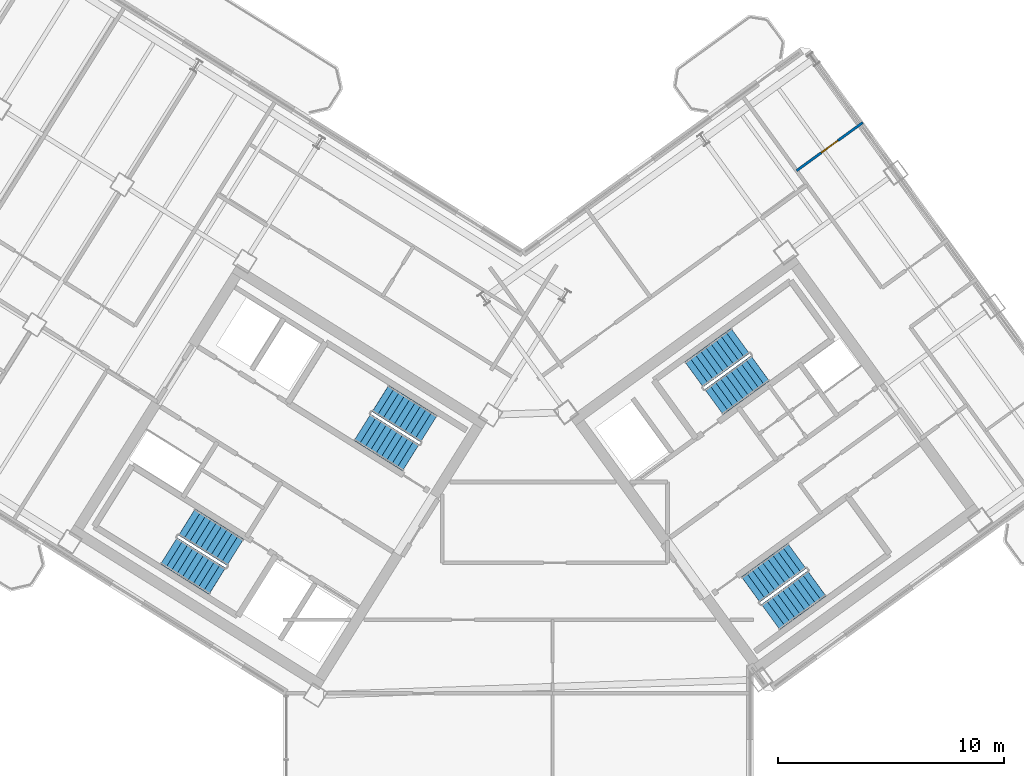
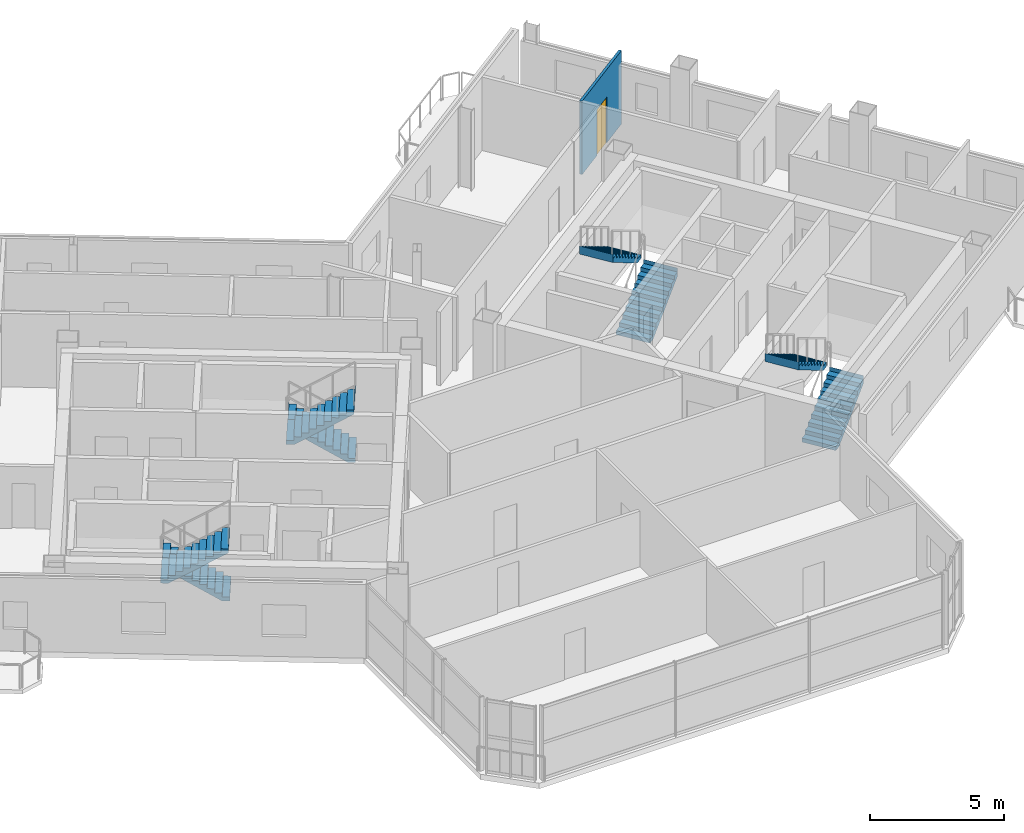
# One storey, part 16 of 21: 8 stair flights, 1 door, 1 wall, 1 opening, 4 elements without a shape of their own.
"""IFC4 building model written with IfcOpenShell, lengths in metres."""

from ifc_helpers import new_model, si_unit, direction, frame, frame_2d, origin, place, context, subcontext, project, spatial, polyline, rectangle, outline, extrude, source, transform, mapped, material, layer, layer_set, type_object, element, fill, aggregate, save


model = new_model("IFC4")

# Units and contexts
model_context = context("Model", 3, precision=1e-05, world=origin(), true_north=direction((0.0, 1.0)))
body_context = subcontext(model_context, "Body", "Model", "MODEL_VIEW")
ifc_project = project(units=[si_unit("LENGTHUNIT", "METRE"), si_unit("AREAUNIT", "SQUARE_METRE"), si_unit("VOLUMEUNIT", "CUBIC_METRE"), si_unit("PLANEANGLEUNIT", "RADIAN"), si_unit("MASSUNIT", "GRAM", prefix="KILO")], contexts=[model_context])

# Site, building, storey
site_placement = place(None, origin())
site = spatial("IfcSite", under=ifc_project, at=site_placement, CompositionType="ELEMENT")
building_placement = place(site_placement, origin())
building = spatial("IfcBuilding", under=site, at=building_placement, Name="Tlacorven Tower", CompositionType="ELEMENT")
storey_placement = place(building_placement, frame((0.0, 0.0, 207.60009765625)))
storey = spatial("IfcBuildingStorey", under=building, at=storey_placement, Name="L52", CompositionType="ELEMENT", Elevation=207.60009765625)

# Wall, opening, door
ifc_material_1 = material(Name="Gypsum plasterboard partition", Category="gypsum")
ifc_layer = layer(ifc_material_1, 0.110107421875)
ifc_layer_set = layer_set([ifc_layer], Name="Gypsum plasterboard partition")
wall_type = type_object("IfcWallType", Name="WL-INT-110", PredefinedType="PARTITIONING", material=ifc_layer_set)
wall_placement = place(storey_placement, frame((54.3037109375, 35.25927734375, 0.0), z_axis=(0.0, 0.0, 1.0), x_axis=(0.809005039917, 0.58780170584, 0.0)))
wall = element("IfcWall", 1, at=wall_placement, inside=storey, type_object=wall_type, Name="L52 partition 82", PredefinedType="PARTITIONING", context=body_context, shape_type="SweptSolid", body=[
    extrude(rectangle(XDim=3.610107421875, YDim=0.110107421875, at=frame_2d((1.80517578125, 0.0))), origin(), (0.0, 0.0, 1.0), 3.33984375),
])
opening_placement = place(wall_placement, frame((1.344970703125, 0.0, 0.0)))
opening = element("IfcOpeningElement", 2, at=opening_placement, cuts=wall, Name="Opening D12", PredefinedType="OPENING", context=body_context, shape_type="SweptSolid", body=[
    extrude(rectangle(XDim=0.919921875, YDim=2.080078125, at=frame_2d((0.4599609375, 1.0400390625))), frame((0.0, 0.06494140625, 0.0), z_axis=(0.0, -1.0, 0.0), x_axis=(1.0, 0.0, 0.0)), (0.0, 0.0, 1.0), 0.130126953125),
])
ifc_material_2 = material(Name="Powder-coated aluminium and timber door", Category="wood")
door_type = type_object("IfcDoorType", Name="DR-INT-ROOM-0920", OperationType="NOTDEFINED", PredefinedType="DOOR", material=ifc_material_2)
shared_shape_1 = source(origin(), body_context, "Body", "SweptSolid", [
    extrude(rectangle(XDim=0.919921875, YDim=2.080078125, at=frame_2d((0.4599609375, 1.0400390625))), frame((0.0, 0.02490234375, 0.0), z_axis=(0.0, -1.0, 0.0), x_axis=(1.0, 0.0, 0.0)), (0.0, 0.0, 1.0), 0.050048828125),
])
door_placement = place(opening_placement, origin())
door = element("IfcDoor", 3, at=door_placement, inside=storey, type_object=door_type, Name="L52 door 053", OperationType="SINGLE_SWING_RIGHT", OverallHeight=2.080078125, OverallWidth=0.919921875, PredefinedType="DOOR", context=body_context, shape_type="MappedRepresentation", body=[
    mapped(shared_shape_1, transform((0.0, 0.0, 0.0), scale=1.0)),
])
fill(opening, door)

# Stair, stair flights
ifc_material_3 = material(Name="Concrete C40/50", Category="concrete")
stair_type = type_object("IfcStairType", Name="ST-CORE-DLG", PredefinedType="HALF_TURN_STAIR", material=ifc_material_3)
stair_1_placement = place(storey_placement, origin())
stair_1 = element("IfcStair", 4, at=stair_1_placement, inside=storey, type_object=stair_type, Name="L52 Protected Exit Stair West 1", PredefinedType="HALF_TURN_STAIR")
stair_flight_type = type_object("IfcStairFlightType", Name="SFL-RC-1380", PredefinedType="STRAIGHT", material=ifc_material_3)
shared_shape_2 = source(origin(), body_context, "Body", "SweptSolid", [
    extrude(outline(polyline([(-0.0029296875, -0.0029296875), (-0.0029296875, 0.179931640625), (0.280029296875, 0.179931640625), (0.280029296875, 0.360107421875), (0.56005859375, 0.360107421875), (0.56005859375, 0.5400390625), (0.840087890625, 0.5400390625), (0.840087890625, 0.719970703125), (1.1201171875, 0.719970703125), (1.1201171875, 0.89990234375), (1.39990234375, 0.89990234375), (1.39990234375, 1.080078125), (1.679931640625, 1.080078125), (1.679931640625, 1.260009765625), (1.9599609375, 1.260009765625), (1.9599609375, 1.43994140625), (2.239990234375, 1.43994140625), (2.239990234375, 1.6201171875), (2.52001953125, 1.6201171875), (2.52001953125, 1.800048828125), (2.52294921875, 1.800048828125), (2.52294921875, 1.429931640625), (2.52001953125, 1.429931640625), (0.295654296875, 0.0), (0.295654296875, -0.0029296875), (-0.0029296875, -0.0029296875)])), frame((0.0, 0.68994140625, 0.0), z_axis=(0.0, -1.0, 0.0), x_axis=(1.0, 0.0, 0.0)), (0.0, 0.0, 1.0), 1.3798828125),
])
stair_flight_1_placement = place(storey_placement, frame((29.499755859375, 18.39453125, 0.0), z_axis=(0.0, 0.0, 1.0), x_axis=(-0.848048096156, 0.529919264233, 0.0)))
stair_flight_1 = element("IfcStairFlight", 5, at=stair_flight_1_placement, type_object=stair_flight_type, Name="ST-W1 flight 1", NumberOfRisers=10, NumberOfTreads=9, PredefinedType="STRAIGHT", RiserHeight=0.18, TreadLength=0.28, context=body_context, shape_type="MappedRepresentation", body=[
    mapped(shared_shape_2, transform((0.0, 0.0, 0.0), scale=1.0)),
])
stair_flight_2_placement = place(storey_placement, frame((26.56787109375, 18.4580078125, 1.7998046875), z_axis=(0.0, 0.0, 1.0), x_axis=(0.848048096156, -0.529919264233, 0.0)))
stair_flight_2 = element("IfcStairFlight", 6, at=stair_flight_2_placement, type_object=stair_flight_type, Name="ST-W1 flight 2", NumberOfRisers=10, NumberOfTreads=9, PredefinedType="STRAIGHT", RiserHeight=0.18, TreadLength=0.28, context=body_context, shape_type="MappedRepresentation", body=[
    mapped(shared_shape_2, transform((0.0, 0.0, 0.0), scale=1.0)),
])
aggregate(stair_1, [stair_flight_1, stair_flight_2])

stair_2_placement = place(storey_placement, origin())
stair_2 = element("IfcStair", 7, at=stair_2_placement, inside=storey, type_object=stair_type, Name="L52 Protected Exit Stair West 2", PredefinedType="HALF_TURN_STAIR")
stair_flight_3_placement = place(storey_placement, frame((38.051513671875, 23.852294921875, 0.0), z_axis=(0.0, 0.0, 1.0), x_axis=(-0.848048096156, 0.529919264233, 0.0)))
stair_flight_3 = element("IfcStairFlight", 8, at=stair_flight_3_placement, type_object=stair_flight_type, Name="ST-W2 flight 1", NumberOfRisers=10, NumberOfTreads=9, PredefinedType="STRAIGHT", RiserHeight=0.18, TreadLength=0.28, context=body_context, shape_type="MappedRepresentation", body=[
    mapped(shared_shape_2, transform((0.0, 0.0, 0.0), scale=1.0)),
])
stair_flight_4_placement = place(storey_placement, frame((35.119384765625, 23.91552734375, 1.7998046875), z_axis=(0.0, 0.0, 1.0), x_axis=(0.848048096156, -0.529919264233, 0.0)))
stair_flight_4 = element("IfcStairFlight", 9, at=stair_flight_4_placement, type_object=stair_flight_type, Name="ST-W2 flight 2", NumberOfRisers=10, NumberOfTreads=9, PredefinedType="STRAIGHT", RiserHeight=0.18, TreadLength=0.28, context=body_context, shape_type="MappedRepresentation", body=[
    mapped(shared_shape_2, transform((0.0, 0.0, 0.0), scale=1.0)),
])
aggregate(stair_2, [stair_flight_3, stair_flight_4])

stair_3_placement = place(storey_placement, origin())
stair_3 = element("IfcStair", 10, at=stair_3_placement, inside=storey, type_object=stair_type, Name="L52 Protected Exit Stair East 1", PredefinedType="HALF_TURN_STAIR")
stair_flight_5_placement = place(storey_placement, frame((50.6533203125, 25.0400390625, 0.0), z_axis=(0.0, 0.0, 1.0), x_axis=(0.809016994375, 0.587785252292, 0.0)))
stair_flight_5 = element("IfcStairFlight", 11, at=stair_flight_5_placement, type_object=stair_flight_type, Name="ST-E1 flight 1", NumberOfRisers=10, NumberOfTreads=9, PredefinedType="STRAIGHT", RiserHeight=0.18, TreadLength=0.28, context=body_context, shape_type="MappedRepresentation", body=[
    mapped(shared_shape_2, transform((0.0, 0.0, 0.0), scale=1.0)),
])
stair_flight_6_placement = place(storey_placement, frame((51.810546875, 27.734619140625, 1.7998046875), z_axis=(0.0, 0.0, 1.0), x_axis=(-0.809016994375, -0.587785252292, 0.0)))
stair_flight_6 = element("IfcStairFlight", 12, at=stair_flight_6_placement, type_object=stair_flight_type, Name="ST-E1 flight 2", NumberOfRisers=10, NumberOfTreads=9, PredefinedType="STRAIGHT", RiserHeight=0.18, TreadLength=0.28, context=body_context, shape_type="MappedRepresentation", body=[
    mapped(shared_shape_2, transform((0.0, 0.0, 0.0), scale=1.0)),
])
aggregate(stair_3, [stair_flight_5, stair_flight_6])

stair_4_placement = place(storey_placement, origin())
stair_4 = element("IfcStair", 13, at=stair_4_placement, inside=storey, type_object=stair_type, Name="L52 Protected Exit Stair East 2", PredefinedType="HALF_TURN_STAIR")
stair_flight_7_placement = place(storey_placement, frame((53.157470703125, 15.536865234375, 0.0), z_axis=(0.0, 0.0, 1.0), x_axis=(0.809016994375, 0.587785252292, 0.0)))
stair_flight_7 = element("IfcStairFlight", 14, at=stair_flight_7_placement, type_object=stair_flight_type, Name="ST-E2 flight 1", NumberOfRisers=10, NumberOfTreads=9, PredefinedType="STRAIGHT", RiserHeight=0.18, TreadLength=0.28, context=body_context, shape_type="MappedRepresentation", body=[
    mapped(shared_shape_2, transform((0.0, 0.0, 0.0), scale=1.0)),
])
stair_flight_8_placement = place(storey_placement, frame((54.314453125, 18.231689453125, 1.7998046875), z_axis=(0.0, 0.0, 1.0), x_axis=(-0.809016994375, -0.587785252292, 0.0)))
stair_flight_8 = element("IfcStairFlight", 15, at=stair_flight_8_placement, type_object=stair_flight_type, Name="ST-E2 flight 2", NumberOfRisers=10, NumberOfTreads=9, PredefinedType="STRAIGHT", RiserHeight=0.18, TreadLength=0.28, context=body_context, shape_type="MappedRepresentation", body=[
    mapped(shared_shape_2, transform((0.0, 0.0, 0.0), scale=1.0)),
])
aggregate(stair_4, [stair_flight_7, stair_flight_8])

save(model, "model.ifc")
